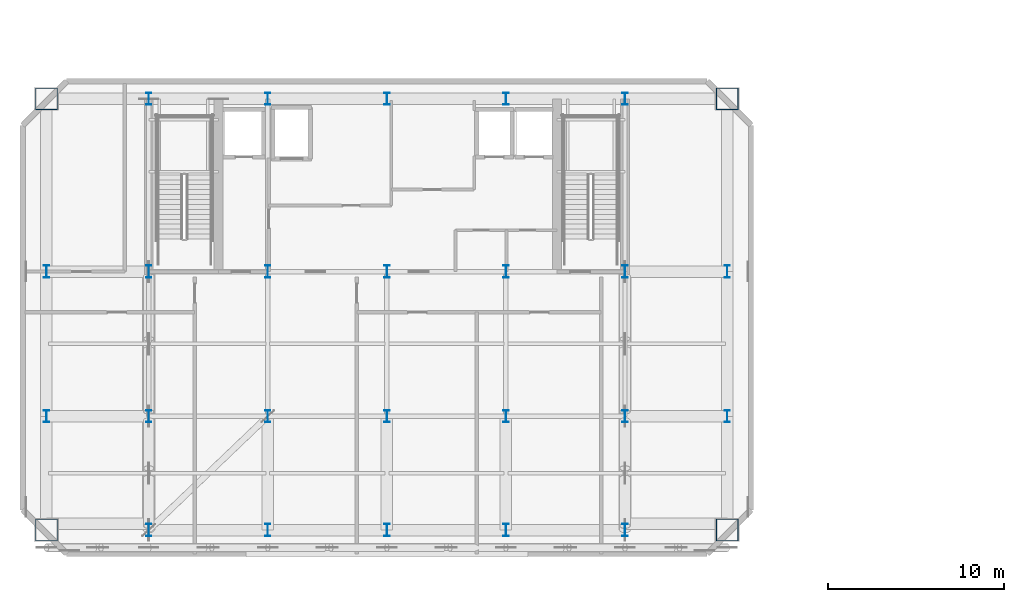
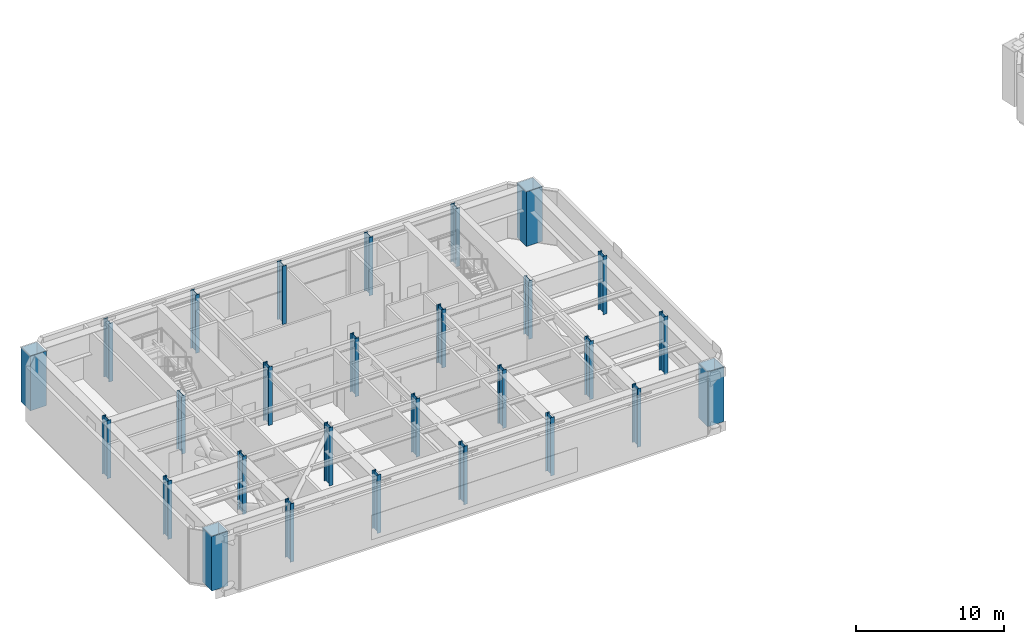
# One storey, part 1 of 15: 28 columns.
"""IFC4 building model written with IfcOpenShell, lengths in metres."""

from ifc_helpers import new_model, si_unit, direction, frame, origin, origin_2d, place, context, subcontext, project, spatial, hollow_rectangle, i_section, extrude, material, material_profile, profile_set, type_object, element, save


model = new_model("IFC4")

# Units and contexts
model_context = context("Model", 3, precision=1e-05, world=origin(), true_north=direction((0.0, 1.0)))
body_context = subcontext(model_context, "Body", "Model", "MODEL_VIEW")
ifc_project = project(units=[si_unit("LENGTHUNIT", "METRE"), si_unit("AREAUNIT", "SQUARE_METRE"), si_unit("VOLUMEUNIT", "CUBIC_METRE"), si_unit("PLANEANGLEUNIT", "RADIAN"), si_unit("MASSUNIT", "GRAM", prefix="KILO")], contexts=[model_context])

# Site, building, storey
site_placement = place(None, origin())
site = spatial("IfcSite", under=ifc_project, at=site_placement, CompositionType="ELEMENT")
building_placement = place(site_placement, origin())
building = spatial("IfcBuilding", under=site, at=building_placement, Name="Haevon Station Towers", CompositionType="ELEMENT")
storey_placement = place(building_placement, frame((0.0, 0.0, 192.300048828125)))
storey = spatial("IfcBuildingStorey", under=building, at=storey_placement, Name="L53", CompositionType="ELEMENT", Elevation=192.300048828125)

# Columns
ifc_material_1 = material(Name="Steel S460", Category="steel")
ifc_material_profile_1 = material_profile(ifc_material_1, hollow_rectangle(XDim=1.25, YDim=1.25, WallThickness=0.034912109375, at=origin_2d()), Name="BOX-1250x1250x35")
ifc_profile_set_1 = profile_set([ifc_material_profile_1], Name="Steel S460")
column_type_1 = type_object("IfcColumnType", Name="COL-MC4", PredefinedType="COLUMN", material=ifc_profile_set_1)
for number, where, z_axis, x_axis, name in (
    (1, (18.199951171875, 23.550048828125, 0.0), (0.0, 0.0, 1.0), (1.0, 0.0, 0.0), "COL-T1-L53-01-01"),
    (2, (18.199951171875, 48.0, 0.0), (0.0, 0.0, 1.0), (1.0, 0.0, 0.0), "COL-T1-L53-01-04"),
    (3, (56.800048828125, 23.550048828125, 0.0), (0.0, 0.0, 1.0), (1.0, 0.0, 0.0), "COL-T1-L53-07-01"),
    (4, (56.800048828125, 48.0, 0.0), (0.0, 0.0, 1.0), (1.0, 0.0, 0.0), "COL-T1-L53-07-04"),
):
    element("IfcColumn", number, at=place(storey_placement, frame(where, z_axis=z_axis, x_axis=x_axis)), inside=storey, type_object=column_type_1, Name=name, PredefinedType="COLUMN", context=body_context, shape_type="SweptSolid", body=[
        extrude(hollow_rectangle(XDim=1.25, YDim=1.25, WallThickness=0.034912109375, at=origin_2d()), origin(), (0.0, 0.0, 1.0), 4.5),
    ])
ifc_material_2 = material(Name="Steel S355", Category="steel")
ifc_material_profile_2 = material_profile(ifc_material_2, i_section(OverallWidth=0.300048828125, OverallDepth=0.699951171875, WebThickness=0.01611328125, FlangeThickness=0.028076171875, at=origin_2d()), Name="H-700x300x16x28")
ifc_profile_set_2 = profile_set([ifc_material_profile_2], Name="Steel S355")
column_type_2 = type_object("IfcColumnType", Name="COL-TW3", PredefinedType="COLUMN", material=ifc_profile_set_2)
for number, where, z_axis, x_axis, name in (
    (5, (18.199951171875, 30.0, 0.0), (0.0, 0.0, 1.0), (1.0, 0.0, 0.0), "COL-T1-L53-01-02"),
    (6, (18.199951171875, 38.199951171875, 0.0), (0.0, 0.0, 1.0), (1.0, 0.0, 0.0), "COL-T1-L53-01-03"),
    (7, (24.0, 23.550048828125, 0.0), (0.0, 0.0, 1.0), (1.0, 0.0, 0.0), "COL-T1-L53-02-01"),
    (8, (24.0, 30.0, 0.0), (0.0, 0.0, 1.0), (1.0, 0.0, 0.0), "COL-T1-L53-02-02"),
    (9, (24.0, 38.199951171875, 0.0), (0.0, 0.0, 1.0), (1.0, 0.0, 0.0), "COL-T1-L53-02-03"),
    (10, (24.0, 48.0, 0.0), (0.0, 0.0, 1.0), (1.0, 0.0, 0.0), "COL-T1-L53-02-04"),
    (11, (30.75, 23.550048828125, 0.0), (0.0, 0.0, 1.0), (1.0, 0.0, 0.0), "COL-T1-L53-03-01"),
    (12, (30.75, 30.0, 0.0), (0.0, 0.0, 1.0), (1.0, 0.0, 0.0), "COL-T1-L53-03-02"),
    (13, (30.75, 38.199951171875, 0.0), (0.0, 0.0, 1.0), (1.0, 0.0, 0.0), "COL-T1-L53-03-03"),
    (14, (30.75, 48.0, 0.0), (0.0, 0.0, 1.0), (1.0, 0.0, 0.0), "COL-T1-L53-03-04"),
    (15, (37.5, 23.550048828125, 0.0), (0.0, 0.0, 1.0), (1.0, 0.0, 0.0), "COL-T1-L53-04-01"),
    (16, (37.5, 30.0, 0.0), (0.0, 0.0, 1.0), (1.0, 0.0, 0.0), "COL-T1-L53-04-02"),
    (17, (37.5, 38.199951171875, 0.0), (0.0, 0.0, 1.0), (1.0, 0.0, 0.0), "COL-T1-L53-04-03"),
    (18, (37.5, 48.0, 0.0), (0.0, 0.0, 1.0), (1.0, 0.0, 0.0), "COL-T1-L53-04-04"),
    (19, (44.25, 23.550048828125, 0.0), (0.0, 0.0, 1.0), (1.0, 0.0, 0.0), "COL-T1-L53-05-01"),
    (20, (44.25, 30.0, 0.0), (0.0, 0.0, 1.0), (1.0, 0.0, 0.0), "COL-T1-L53-05-02"),
    (21, (44.25, 38.199951171875, 0.0), (0.0, 0.0, 1.0), (1.0, 0.0, 0.0), "COL-T1-L53-05-03"),
    (22, (44.25, 48.0, 0.0), (0.0, 0.0, 1.0), (1.0, 0.0, 0.0), "COL-T1-L53-05-04"),
    (23, (51.0, 23.550048828125, 0.0), (0.0, 0.0, 1.0), (1.0, 0.0, 0.0), "COL-T1-L53-06-01"),
    (24, (51.0, 30.0, 0.0), (0.0, 0.0, 1.0), (1.0, 0.0, 0.0), "COL-T1-L53-06-02"),
    (25, (51.0, 38.199951171875, 0.0), (0.0, 0.0, 1.0), (1.0, 0.0, 0.0), "COL-T1-L53-06-03"),
    (26, (51.0, 48.0, 0.0), (0.0, 0.0, 1.0), (1.0, 0.0, 0.0), "COL-T1-L53-06-04"),
    (27, (56.800048828125, 30.0, 0.0), (0.0, 0.0, 1.0), (1.0, 0.0, 0.0), "COL-T1-L53-07-02"),
    (28, (56.800048828125, 38.199951171875, 0.0), (0.0, 0.0, 1.0), (1.0, 0.0, 0.0), "COL-T1-L53-07-03"),
):
    element("IfcColumn", number, at=place(storey_placement, frame(where, z_axis=z_axis, x_axis=x_axis)), inside=storey, type_object=column_type_2, Name=name, PredefinedType="COLUMN", context=body_context, shape_type="SweptSolid", body=[
        extrude(i_section(OverallWidth=0.300048828125, OverallDepth=0.699951171875, WebThickness=0.01611328125, FlangeThickness=0.028076171875, at=origin_2d()), origin(), (0.0, 0.0, 1.0), 4.800048828125),
    ])

save(model, "model.ifc")
